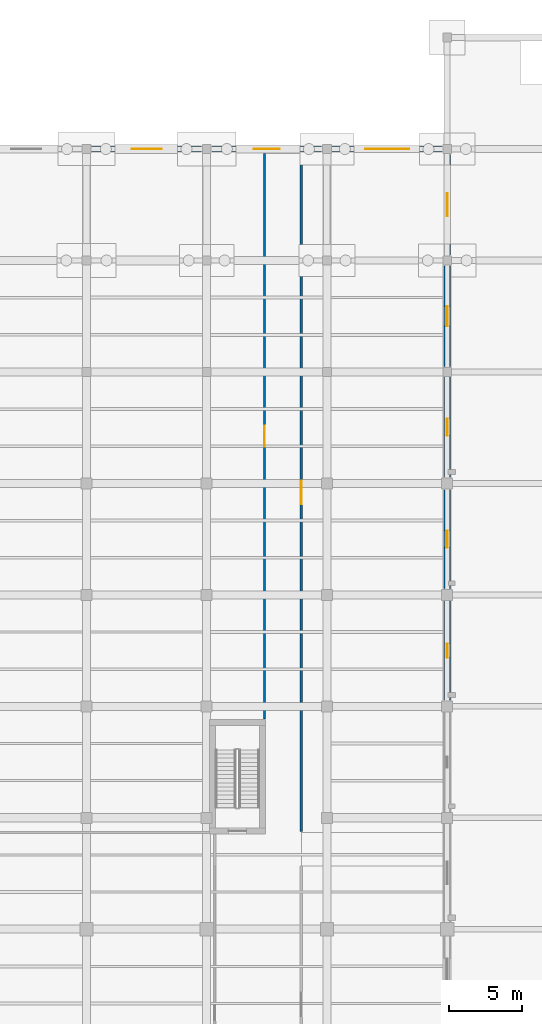
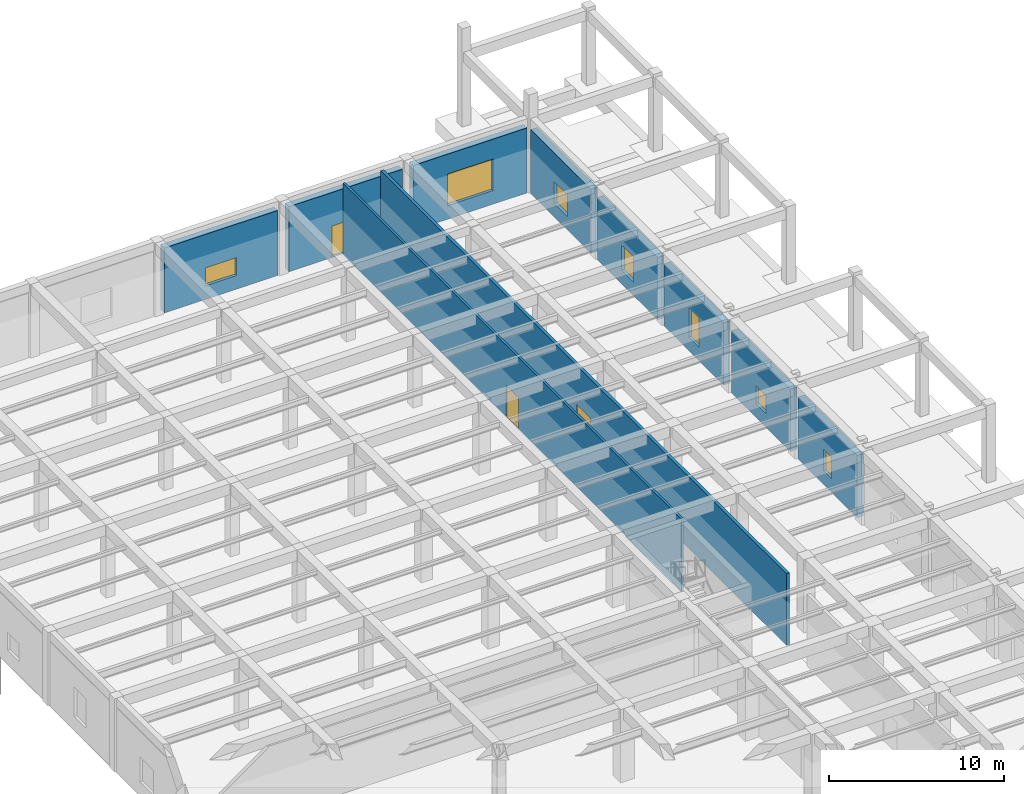
# One storey, part 49 of 64: 10 walls, 7 windows, 3 doors, 10 openings.
"""IFC4 building model written with IfcOpenShell, lengths in metres."""

from ifc_helpers import new_model, si_unit, direction, frame, frame_2d, origin, place, context, subcontext, project, spatial, rectangle, extrude, material, layer, layer_set, type_object, element, fill, save


model = new_model("IFC4")

# Units and contexts
model_context = context("Model", 3, precision=1e-05, world=origin(), true_north=direction((0.0, 1.0)))
body_context = subcontext(model_context, "Body", "Model", "MODEL_VIEW")
ifc_project = project(units=[si_unit("LENGTHUNIT", "METRE"), si_unit("AREAUNIT", "SQUARE_METRE"), si_unit("VOLUMEUNIT", "CUBIC_METRE"), si_unit("PLANEANGLEUNIT", "RADIAN"), si_unit("MASSUNIT", "GRAM", prefix="KILO")], contexts=[model_context])

# Site, building, storey
site_placement = place(None, origin())
site = spatial("IfcSite", under=ifc_project, at=site_placement, CompositionType="ELEMENT")
building_placement = place(site_placement, origin())
building = spatial("IfcBuilding", under=site, at=building_placement, Name="Qandaris Square Conservatory and Botanical Centre", CompositionType="ELEMENT")
storey_placement = place(building_placement, origin())
storey = spatial("IfcBuildingStorey", under=building, at=storey_placement, Name="L00", CompositionType="ELEMENT", Elevation=0.0)

# Wall, opening, door
ifc_material_1 = material(Name="Gypsum Plasterboard", Category="gypsum")
ifc_layer_1 = layer(ifc_material_1, 0.14990234375)
ifc_layer_set_1 = layer_set([ifc_layer_1], Name="Gypsum Plasterboard")
wall_type_1 = type_object("IfcWallType", Name="Acoustic Laboratory Partition 150mm", PredefinedType="PARTITIONING", material=ifc_layer_set_1)
wall_1_placement = place(storey_placement, frame((151.35009765625, 76.530029296875, 0.0), z_axis=(0.0, 0.0, 1.0), x_axis=(0.0, 1.0, 0.0)))
wall_1 = element("IfcWall", 1, at=wall_1_placement, inside=storey, type_object=wall_type_1, Name="Interior Partition IW-L00-0062", PredefinedType="PARTITIONING", context=body_context, shape_type="SweptSolid", body=[
    extrude(rectangle(XDim=38.570068359375, YDim=0.14990234375, at=frame_2d((19.28515625, 0.0))), origin(), (0.0, 0.0, 1.0), 5.0048828125),
])
opening_1_placement = place(wall_1_placement, frame((18.5849609375, 0.0, 0.0)))
opening_1 = element("IfcOpeningElement", 2, at=opening_1_placement, cuts=wall_1, Name="Opening D-LAB1", PredefinedType="OPENING", context=body_context, shape_type="SweptSolid", body=[
    extrude(rectangle(XDim=1.39990234375, YDim=2.199951171875, at=frame_2d((0.699951171875, 1.10009765625))), frame((0.0, 0.0869140625, 0.0), z_axis=(0.0, -1.0, 0.0), x_axis=(1.0, 0.0, 0.0)), (0.0, 0.0, 1.0), 0.173828125),
])
ifc_material_2 = material(Name="Engineered Oak Timber", Category="wood")
door_type_1 = type_object("IfcDoorType", Name="Research Laboratory Leaf-and-Half Door 1400x2200", OperationType="DOUBLE_DOOR_SINGLE_SWING", PredefinedType="DOOR", material=ifc_material_2)
door_1_placement = place(opening_1_placement, frame((1.39990234375, 0.0, 0.0), z_axis=(0.0, 0.0, 1.0), x_axis=(-1.0, 0.0, 0.0)))
door_1 = element("IfcDoor", 3, at=door_1_placement, inside=storey, type_object=door_type_1, Name="DR-0051 Desert Soil and Microbiome Laboratory Door", OperationType="DOUBLE_DOOR_SINGLE_SWING", OverallHeight=2.199951171875, OverallWidth=1.39990234375, PredefinedType="DOOR", context=body_context, shape_type="SweptSolid", body=[
    extrude(rectangle(XDim=1.39990234375, YDim=2.199951171875, at=frame_2d((0.699951171875, 1.10009765625))), frame((0.0, 0.02490234375, 0.0), z_axis=(0.0, -1.0, 0.0), x_axis=(1.0, 0.0, 0.0)), (0.0, 0.0, 1.0), 0.050048828125),
])
fill(opening_1, door_1)

ifc_material_3 = material(Name="Concrete C40/50", Category="concrete")
ifc_layer_2 = layer(ifc_material_3, 0.199951171875)
ifc_layer_set_2 = layer_set([ifc_layer_2], Name="Concrete C40/50")
wall_type_2 = type_object("IfcWallType", Name="Herbarium & Plant Compartment Wall 200mm", PredefinedType="PARTITIONING", material=ifc_layer_set_2)
wall_2_placement = place(storey_placement, frame((153.85009765625, 115.10009765625, 0.0), z_axis=(0.0, 0.0, 1.0), x_axis=(0.0, -1.0, 0.0)))
wall_2 = element("IfcWall", 4, at=wall_2_placement, inside=storey, type_object=wall_type_2, Name="Interior Partition IW-L00-0063", PredefinedType="PARTITIONING", context=body_context, shape_type="SweptSolid", body=[
    extrude(rectangle(XDim=46.25, YDim=0.199951171875, at=frame_2d((23.125, 0.0))), origin(), (0.0, 0.0, 1.0), 5.0048828125),
])
opening_2_placement = place(wall_2_placement, frame((22.324951171875, 0.0, 0.0)))
opening_2 = element("IfcOpeningElement", 5, at=opening_2_placement, cuts=wall_2, Name="Opening D-HRB1", PredefinedType="OPENING", context=body_context, shape_type="SweptSolid", body=[
    extrude(rectangle(XDim=1.60009765625, YDim=2.300048828125, at=frame_2d((0.800048828125, 1.14990234375))), frame((0.0, 0.11181640625, 0.0), z_axis=(0.0, -1.0, 0.0), x_axis=(1.0, 0.0, 0.0)), (0.0, 0.0, 1.0), 0.223876953125),
])
ifc_material_4 = material(Name="Steel S355", Category="steel")
door_type_2 = type_object("IfcDoorType", Name="Herbarium Sealable Specimen Double Door 1600x2300", OperationType="DOUBLE_DOOR_SINGLE_SWING", PredefinedType="DOOR", material=ifc_material_4)
door_2_placement = place(opening_2_placement, origin())
door_2 = element("IfcDoor", 6, at=door_2_placement, inside=storey, type_object=door_type_2, Name="DR-0050 Herbarium Specimen Drying Workshop Door", OperationType="DOUBLE_DOOR_SINGLE_SWING", OverallHeight=2.300048828125, OverallWidth=1.60009765625, PredefinedType="DOOR", context=body_context, shape_type="SweptSolid", body=[
    extrude(rectangle(XDim=1.60009765625, YDim=2.300048828125, at=frame_2d((0.800048828125, 1.14990234375))), frame((0.0, 0.02490234375, 0.0), z_axis=(0.0, -1.0, 0.0), x_axis=(1.0, 0.0, 0.0)), (0.0, 0.0, 1.0), 0.050048828125),
])
fill(opening_2, door_2)

# Wall, opening, window
ifc_layer_3 = layer(ifc_material_3, 0.419921875)
ifc_layer_set_3 = layer_set([ifc_layer_3], Name="Concrete C40/50")
wall_type_3 = type_object("IfcWallType", Name="Insulated Qatari Limestone Cavity Wall 420mm", PredefinedType="SOLIDWALL", material=ifc_layer_set_3)
wall_3_placement = place(storey_placement, frame((163.800048828125, 77.8349609375, 0.0), z_axis=(0.0, 0.0, 1.0), x_axis=(0.0, 1.0, 0.0)))
wall_3 = element("IfcWall", 7, at=wall_3_placement, inside=storey, type_object=wall_type_3, Name="Exterior Wall EW-TWR-L00-2-9", PredefinedType="SOLIDWALL", context=body_context, shape_type="SweptSolid", body=[
    extrude(rectangle(XDim=6.72998046875, YDim=0.419921875, at=frame_2d((3.364990234375, 0.0))), origin(), (0.0, 0.0, 1.0), 4.3349609375),
])
opening_3_placement = place(wall_3_placement, frame((2.889892578125, 0.0, 0.949951171875)))
opening_3 = element("IfcOpeningElement", 8, at=opening_3_placement, cuts=wall_3, Name="Opening WN-14", PredefinedType="OPENING", context=body_context, shape_type="SweptSolid", body=[
    extrude(rectangle(XDim=0.949951171875, YDim=1.5, at=frame_2d((0.47509765625, 0.75))), frame((0.0, 0.221923828125, 0.0), z_axis=(0.0, -1.0, 0.0), x_axis=(1.0, 0.0, 0.0)), (0.0, 0.0, 1.0), 0.44384765625),
])
ifc_material_5 = material(Name="Tempered Low-E Glass", Category="glass")
window_type_1 = type_object("IfcWindowType", Name="Solar Control Window 950x1500", PartitioningType="SINGLE_PANEL", PredefinedType="WINDOW", material=ifc_material_5)
window_1_placement = place(opening_3_placement, origin())
window_1 = element("IfcWindow", 9, at=window_1_placement, inside=storey, type_object=window_type_1, Name="Window EW-TWR-L00-2-9", OverallHeight=1.5, OverallWidth=0.949951171875, PartitioningType="SINGLE_PANEL", PredefinedType="WINDOW", context=body_context, shape_type="SweptSolid", body=[
    extrude(rectangle(XDim=0.949951171875, YDim=1.5, at=frame_2d((0.47509765625, 0.75))), frame((0.0, 0.030029296875, 0.0), z_axis=(0.0, -1.0, 0.0), x_axis=(1.0, 0.0, 0.0)), (0.0, 0.0, 1.0), 0.06005859375),
])
fill(opening_3, window_1)

wall_4_placement = place(storey_placement, frame((163.800048828125, 85.43505859375, 0.0), z_axis=(0.0, 0.0, 1.0), x_axis=(0.0, 1.0, 0.0)))
wall_4 = element("IfcWall", 10, at=wall_4_placement, inside=storey, type_object=wall_type_3, Name="Exterior Wall EW-TWR-L00-2-10", PredefinedType="SOLIDWALL", context=body_context, shape_type="SweptSolid", body=[
    extrude(rectangle(XDim=6.72998046875, YDim=0.419921875, at=frame_2d((3.364990234375, 0.0))), origin(), (0.0, 0.0, 1.0), 4.3349609375),
])
opening_4_placement = place(wall_4_placement, frame((2.7900390625, 0.0, 0.949951171875)))
opening_4 = element("IfcOpeningElement", 11, at=opening_4_placement, cuts=wall_4, Name="Opening WN-17", PredefinedType="OPENING", context=body_context, shape_type="SweptSolid", body=[
    extrude(rectangle(XDim=1.14990234375, YDim=1.25, at=frame_2d((0.574951171875, 0.625))), frame((0.0, 0.221923828125, 0.0), z_axis=(0.0, -1.0, 0.0), x_axis=(1.0, 0.0, 0.0)), (0.0, 0.0, 1.0), 0.44384765625),
])
window_type_2 = type_object("IfcWindowType", Name="Solar Control Window 1150x1250", PartitioningType="SINGLE_PANEL", PredefinedType="WINDOW", material=ifc_material_5)
window_2_placement = place(opening_4_placement, origin())
window_2 = element("IfcWindow", 12, at=window_2_placement, inside=storey, type_object=window_type_2, Name="Window EW-TWR-L00-2-10", OverallHeight=1.25, OverallWidth=1.14990234375, PartitioningType="SINGLE_PANEL", PredefinedType="WINDOW", context=body_context, shape_type="SweptSolid", body=[
    extrude(rectangle(XDim=1.14990234375, YDim=1.25, at=frame_2d((0.574951171875, 0.625))), frame((0.0, 0.030029296875, 0.0), z_axis=(0.0, -1.0, 0.0), x_axis=(1.0, 0.0, 0.0)), (0.0, 0.0, 1.0), 0.06005859375),
])
fill(opening_4, window_2)

wall_5_placement = place(storey_placement, frame((163.800048828125, 93.034912109375, 0.0), z_axis=(0.0, 0.0, 1.0), x_axis=(0.0, 1.0, 0.0)))
wall_5 = element("IfcWall", 13, at=wall_5_placement, inside=storey, type_object=wall_type_3, Name="Exterior Wall EW-TWR-L00-2-11", PredefinedType="SOLIDWALL", context=body_context, shape_type="SweptSolid", body=[
    extrude(rectangle(XDim=6.80517578125, YDim=0.419921875, at=frame_2d((3.402587890625, 0.0))), origin(), (0.0, 0.0, 1.0), 4.3349609375),
])
opening_5_placement = place(wall_5_placement, frame((2.827392578125, 0.0, 0.949951171875)))
opening_5 = element("IfcOpeningElement", 14, at=opening_5_placement, cuts=wall_5, Name="Opening WN-20", PredefinedType="OPENING", context=body_context, shape_type="SweptSolid", body=[
    extrude(rectangle(XDim=1.14990234375, YDim=2.050048828125, at=frame_2d((0.574951171875, 1.02490234375))), frame((0.0, 0.221923828125, 0.0), z_axis=(0.0, -1.0, 0.0), x_axis=(1.0, 0.0, 0.0)), (0.0, 0.0, 1.0), 0.44384765625),
])
window_type_3 = type_object("IfcWindowType", Name="Solar Control Window 1150x2050", PartitioningType="SINGLE_PANEL", PredefinedType="WINDOW", material=ifc_material_5)
window_3_placement = place(opening_5_placement, origin())
window_3 = element("IfcWindow", 15, at=window_3_placement, inside=storey, type_object=window_type_3, Name="Window EW-TWR-L00-2-11", OverallHeight=2.050048828125, OverallWidth=1.14990234375, PartitioningType="SINGLE_PANEL", PredefinedType="WINDOW", context=body_context, shape_type="SweptSolid", body=[
    extrude(rectangle(XDim=1.14990234375, YDim=2.050048828125, at=frame_2d((0.574951171875, 1.02490234375))), frame((0.0, 0.030029296875, 0.0), z_axis=(0.0, -1.0, 0.0), x_axis=(1.0, 0.0, 0.0)), (0.0, 0.0, 1.0), 0.06005859375),
])
fill(opening_5, window_3)

wall_6_placement = place(storey_placement, frame((163.800048828125, 100.56005859375, 0.0), z_axis=(0.0, 0.0, 1.0), x_axis=(0.0, 1.0, 0.0)))
wall_6 = element("IfcWall", 16, at=wall_6_placement, inside=storey, type_object=wall_type_3, Name="Exterior Wall EW-TWR-L00-2-12", PredefinedType="SOLIDWALL", context=body_context, shape_type="SweptSolid", body=[
    extrude(rectangle(XDim=6.8798828125, YDim=0.419921875, at=frame_2d((3.43994140625, 0.0))), origin(), (0.0, 0.0, 1.0), 4.3349609375),
])
opening_6_placement = place(wall_6_placement, frame((2.764892578125, 0.0, 0.949951171875)))
opening_6 = element("IfcOpeningElement", 17, at=opening_6_placement, cuts=wall_6, Name="Opening WN-23", PredefinedType="OPENING", context=body_context, shape_type="SweptSolid", body=[
    extrude(rectangle(XDim=1.35009765625, YDim=1.75, at=frame_2d((0.675048828125, 0.875))), frame((0.0, 0.221923828125, 0.0), z_axis=(0.0, -1.0, 0.0), x_axis=(1.0, 0.0, 0.0)), (0.0, 0.0, 1.0), 0.44384765625),
])
window_type_4 = type_object("IfcWindowType", Name="Solar Control Window 1350x1750", PartitioningType="SINGLE_PANEL", PredefinedType="WINDOW", material=ifc_material_5)
window_4_placement = place(opening_6_placement, origin())
window_4 = element("IfcWindow", 18, at=window_4_placement, inside=storey, type_object=window_type_4, Name="Window EW-TWR-L00-2-12", OverallHeight=1.75, OverallWidth=1.35009765625, PartitioningType="SINGLE_PANEL", PredefinedType="WINDOW", context=body_context, shape_type="SweptSolid", body=[
    extrude(rectangle(XDim=1.35009765625, YDim=1.75, at=frame_2d((0.675048828125, 0.875))), frame((0.0, 0.030029296875, 0.0), z_axis=(0.0, -1.0, 0.0), x_axis=(1.0, 0.0, 0.0)), (0.0, 0.0, 1.0), 0.06005859375),
])
fill(opening_6, window_4)

wall_7_placement = place(storey_placement, frame((163.800048828125, 108.159912109375, 0.0), z_axis=(0.0, 0.0, 1.0), x_axis=(0.0, 1.0, 0.0)))
wall_7 = element("IfcWall", 19, at=wall_7_placement, inside=storey, type_object=wall_type_3, Name="Exterior Wall EW-TWR-L00-2-13", PredefinedType="SOLIDWALL", context=body_context, shape_type="SweptSolid", body=[
    extrude(rectangle(XDim=6.880126953125, YDim=0.419921875, at=frame_2d((3.43994140625, 0.0))), origin(), (0.0, 0.0, 1.0), 4.4599609375),
])
opening_7_placement = place(wall_7_placement, frame((2.6650390625, 0.0, 0.949951171875)))
opening_7 = element("IfcOpeningElement", 20, at=opening_7_placement, cuts=wall_7, Name="Opening WN-26", PredefinedType="OPENING", context=body_context, shape_type="SweptSolid", body=[
    extrude(rectangle(XDim=1.550048828125, YDim=1.5, at=frame_2d((0.77490234375, 0.75))), frame((0.0, 0.221923828125, 0.0), z_axis=(0.0, -1.0, 0.0), x_axis=(1.0, 0.0, 0.0)), (0.0, 0.0, 1.0), 0.44384765625),
])
window_type_5 = type_object("IfcWindowType", Name="Solar Control Window 1550x1500", PartitioningType="DOUBLE_PANEL_VERTICAL", PredefinedType="WINDOW", material=ifc_material_5)
window_5_placement = place(opening_7_placement, origin())
window_5 = element("IfcWindow", 21, at=window_5_placement, inside=storey, type_object=window_type_5, Name="Window EW-TWR-L00-2-13", OverallHeight=1.5, OverallWidth=1.550048828125, PartitioningType="DOUBLE_PANEL_VERTICAL", PredefinedType="WINDOW", context=body_context, shape_type="SweptSolid", body=[
    extrude(rectangle(XDim=1.550048828125, YDim=1.5, at=frame_2d((0.77490234375, 0.75))), frame((0.0, 0.030029296875, 0.0), z_axis=(0.0, -1.0, 0.0), x_axis=(1.0, 0.0, 0.0)), (0.0, 0.0, 1.0), 0.06005859375),
])
fill(opening_7, window_5)

wall_8_placement = place(storey_placement, frame((163.43994140625, 115.39990234375, 0.0), z_axis=(0.0, 0.0, 1.0), x_axis=(-1.0, 0.0, 0.0)))
wall_8 = element("IfcWall", 22, at=wall_8_placement, inside=storey, type_object=wall_type_3, Name="Exterior Wall EW-TWR-L00-3-1", PredefinedType="SOLIDWALL", context=body_context, shape_type="SweptSolid", body=[
    extrude(rectangle(XDim=7.47998046875, YDim=0.419921875, at=frame_2d((3.739990234375, 0.0))), origin(), (0.0, 0.0, 1.0), 4.530029296875),
])
opening_8_placement = place(wall_8_placement, frame((2.239990234375, 0.0, 0.949951171875)))
opening_8 = element("IfcOpeningElement", 23, at=opening_8_placement, cuts=wall_8, Name="Opening WN-09", PredefinedType="OPENING", context=body_context, shape_type="SweptSolid", body=[
    extrude(rectangle(XDim=3.0, YDim=2.199951171875, at=frame_2d((1.5, 1.10009765625))), frame((0.0, 0.221923828125, 0.0), z_axis=(0.0, -1.0, 0.0), x_axis=(1.0, 0.0, 0.0)), (0.0, 0.0, 1.0), 0.44384765625),
])
window_type_6 = type_object("IfcWindowType", Name="Directorate Panoramic Window 3000x2200", PartitioningType="TRIPLE_PANEL_VERTICAL", PredefinedType="WINDOW", material=ifc_material_5)
window_6_placement = place(opening_8_placement, origin())
window_6 = element("IfcWindow", 24, at=window_6_placement, inside=storey, type_object=window_type_6, Name="Window EW-TWR-L00-3-1", OverallHeight=2.199951171875, OverallWidth=3.0, PartitioningType="TRIPLE_PANEL_VERTICAL", PredefinedType="WINDOW", context=body_context, shape_type="SweptSolid", body=[
    extrude(rectangle(XDim=3.0, YDim=2.199951171875, at=frame_2d((1.5, 1.10009765625))), frame((0.0, 0.030029296875, 0.0), z_axis=(0.0, -1.0, 0.0), x_axis=(1.0, 0.0, 0.0)), (0.0, 0.0, 1.0), 0.06005859375),
])
fill(opening_8, window_6)

# Wall, opening, door
wall_9_placement = place(storey_placement, frame((155.239990234375, 115.39990234375, 0.0), z_axis=(0.0, 0.0, 1.0), x_axis=(-1.0, 0.0, 0.0)))
wall_9 = element("IfcWall", 25, at=wall_9_placement, inside=storey, type_object=wall_type_3, Name="Exterior Wall EW-TWR-L00-3-2", PredefinedType="SOLIDWALL", context=body_context, shape_type="SweptSolid", body=[
    extrude(rectangle(XDim=7.47998046875, YDim=0.419921875, at=frame_2d((3.739990234375, 0.0))), origin(), (0.0, 0.0, 1.0), 4.530029296875),
])
opening_9_placement = place(wall_9_placement, frame((2.840087890625, 0.0, 0.0)))
opening_9 = element("IfcOpeningElement", 26, at=opening_9_placement, cuts=wall_9, Name="Opening ED-T3", PredefinedType="OPENING", context=body_context, shape_type="SweptSolid", body=[
    extrude(rectangle(XDim=1.800048828125, YDim=2.199951171875, at=frame_2d((0.89990234375, 1.10009765625))), frame((0.0, 0.221923828125, 0.0), z_axis=(0.0, -1.0, 0.0), x_axis=(1.0, 0.0, 0.0)), (0.0, 0.0, 1.0), 0.44384765625),
])
ifc_material_6 = material(Name="Anodised Aluminium", Category="aluminium")
door_type_3 = type_object("IfcDoorType", Name="Final Exit Escape Double Door 1800x2200", OperationType="DOUBLE_DOOR_SINGLE_SWING", PredefinedType="DOOR", material=ifc_material_6)
door_3_placement = place(opening_9_placement, frame((1.800048828125, 0.0, 0.0), z_axis=(0.0, 0.0, 1.0), x_axis=(-1.0, 0.0, 0.0)))
door_3 = element("IfcDoor", 27, at=door_3_placement, inside=storey, type_object=door_type_3, Name="DR-0080 Exterior Exit Door ED-13", OperationType="DOUBLE_DOOR_SINGLE_SWING", OverallHeight=2.199951171875, OverallWidth=1.800048828125, PredefinedType="DOOR", context=body_context, shape_type="SweptSolid", body=[
    extrude(rectangle(XDim=1.800048828125, YDim=2.199951171875, at=frame_2d((0.89990234375, 1.10009765625))), frame((0.0, 0.02490234375, 0.0), z_axis=(0.0, -1.0, 0.0), x_axis=(1.0, 0.0, 0.0)), (0.0, 0.0, 1.0), 0.050048828125),
])
fill(opening_9, door_3)

# Wall, opening, window
wall_10_placement = place(storey_placement, frame((147.0400390625, 115.39990234375, 0.0), z_axis=(0.0, 0.0, 1.0), x_axis=(-1.0, 0.0, 0.0)))
wall_10 = element("IfcWall", 28, at=wall_10_placement, inside=storey, type_object=wall_type_3, Name="Exterior Wall EW-TWR-L00-3-3", PredefinedType="SOLIDWALL", context=body_context, shape_type="SweptSolid", body=[
    extrude(rectangle(XDim=7.47998046875, YDim=0.419921875, at=frame_2d((3.739990234375, 0.0))), origin(), (0.0, 0.0, 1.0), 4.530029296875),
])
opening_10_placement = place(wall_10_placement, frame((2.715087890625, 0.0, 0.949951171875)))
opening_10 = element("IfcOpeningElement", 29, at=opening_10_placement, cuts=wall_10, Name="Opening WN-33", PredefinedType="OPENING", context=body_context, shape_type="SweptSolid", body=[
    extrude(rectangle(XDim=2.050048828125, YDim=1.25, at=frame_2d((1.02490234375, 0.625))), frame((0.0, 0.221923828125, 0.0), z_axis=(0.0, -1.0, 0.0), x_axis=(1.0, 0.0, 0.0)), (0.0, 0.0, 1.0), 0.44384765625),
])
window_type_7 = type_object("IfcWindowType", Name="Solar Control Window 2050x1250", PartitioningType="DOUBLE_PANEL_VERTICAL", PredefinedType="WINDOW", material=ifc_material_5)
window_7_placement = place(opening_10_placement, origin())
window_7 = element("IfcWindow", 30, at=window_7_placement, inside=storey, type_object=window_type_7, Name="Window EW-TWR-L00-3-3", OverallHeight=1.25, OverallWidth=2.050048828125, PartitioningType="DOUBLE_PANEL_VERTICAL", PredefinedType="WINDOW", context=body_context, shape_type="SweptSolid", body=[
    extrude(rectangle(XDim=2.050048828125, YDim=1.25, at=frame_2d((1.02490234375, 0.625))), frame((0.0, 0.030029296875, 0.0), z_axis=(0.0, -1.0, 0.0), x_axis=(1.0, 0.0, 0.0)), (0.0, 0.0, 1.0), 0.06005859375),
])
fill(opening_10, window_7)

save(model, "model.ifc")
